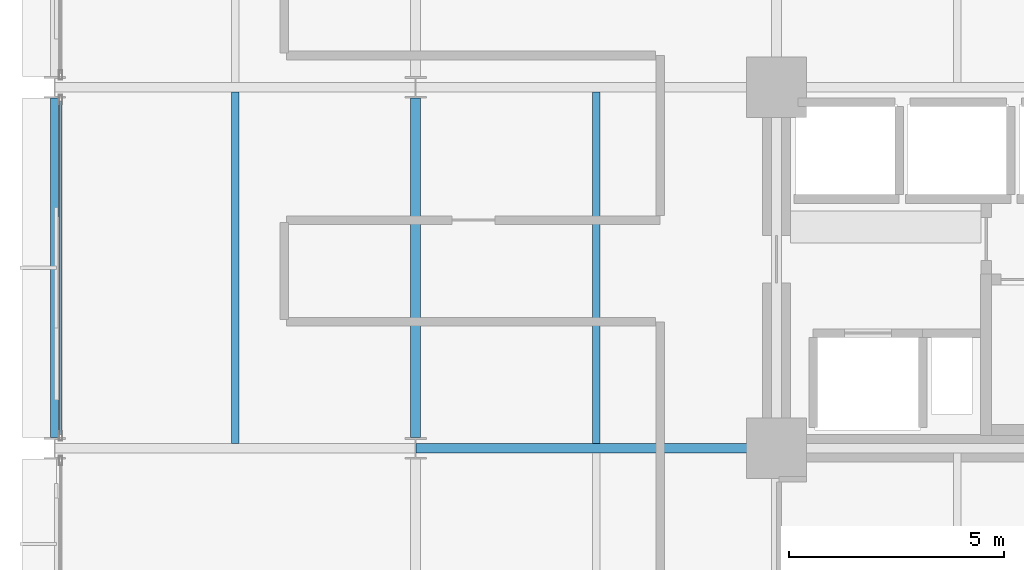
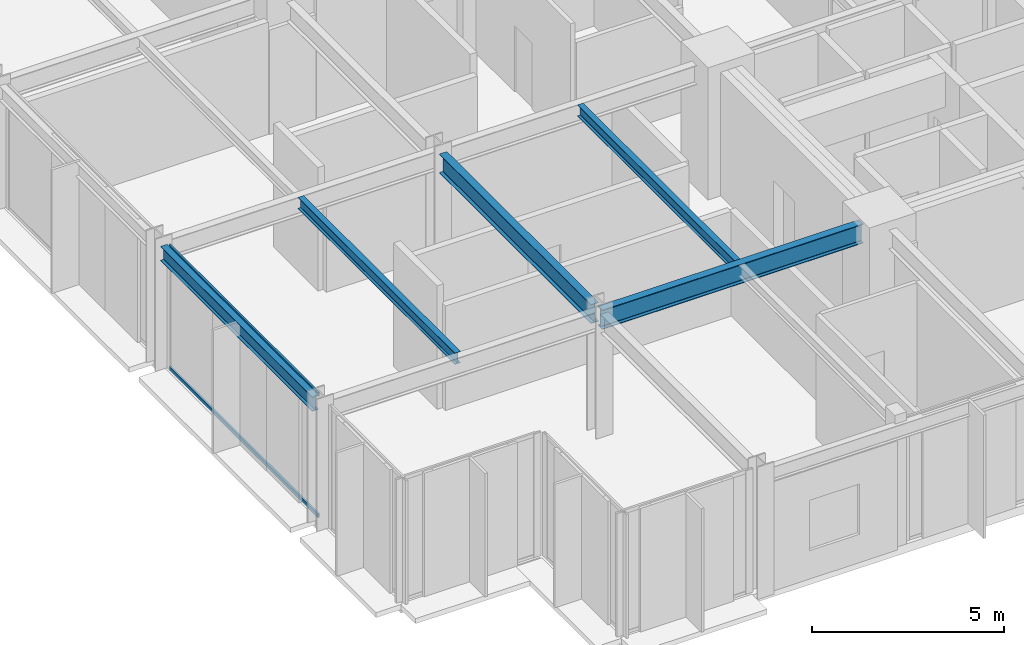
# One storey, part 5 of 30: 5 beams, 2 members, 1 element without a shape of its own.
"""IFC4 building model written with IfcOpenShell, lengths in metres."""

from ifc_helpers import new_model, si_unit, direction, frame, origin, origin_2d, place, context, subcontext, project, spatial, hollow_rectangle, i_section, extrude, material, layer, layer_set, material_profile, profile_set, type_object, element, aggregate, save


model = new_model("IFC4")

# Units and contexts
model_context = context("Model", 3, precision=1e-05, world=origin(), true_north=direction((0.0, 1.0)))
body_context = subcontext(model_context, "Body", "Model", "MODEL_VIEW")
ifc_project = project(units=[si_unit("LENGTHUNIT", "METRE"), si_unit("AREAUNIT", "SQUARE_METRE"), si_unit("VOLUMEUNIT", "CUBIC_METRE"), si_unit("PLANEANGLEUNIT", "RADIAN"), si_unit("MASSUNIT", "GRAM", prefix="KILO")], contexts=[model_context])

# Site, building, storey
site_placement = place(None, origin())
site = spatial("IfcSite", under=ifc_project, at=site_placement, CompositionType="ELEMENT")
building_placement = place(site_placement, origin())
building = spatial("IfcBuilding", under=site, at=building_placement, Name="Nerrivon Quay Data Exchange", CompositionType="ELEMENT")
storey_placement = place(building_placement, frame((0.0, 0.0, 62.60009765625)))
storey = spatial("IfcBuildingStorey", under=building, at=storey_placement, Name="L14", CompositionType="ELEMENT", Elevation=62.60009765625)

# Beams
ifc_material_1 = material(Name="Steel Grade 350", Category="steel")
ifc_material_profile_1 = material_profile(ifc_material_1, i_section(OverallWidth=0.22900390625, OverallDepth=0.612060546875, WebThickness=0.011962890625, FlangeThickness=0.01953125, FilletRadius=0.013916015625, at=origin_2d()), Name="610UB125")
ifc_profile_set_1 = profile_set([ifc_material_profile_1], Name="Steel Grade 350")
beam_type_1 = type_object("IfcBeamType", Name="BM-G1-610UB125", PredefinedType="BEAM", material=ifc_profile_set_1)
beam_1_placement = place(storey_placement, frame((8.4140625, 8.39990234375, 3.618896484375), z_axis=(1.0, 0.0, 0.0), x_axis=(0.0, 1.0, 0.0)))
element("IfcBeam", 1, at=beam_1_placement, inside=storey, type_object=beam_type_1, Name="L14 EW Girder Y=8.4 (8.4..16.8)", PredefinedType="BEAM", context=body_context, shape_type="SweptSolid", body=[
    extrude(i_section(OverallWidth=0.22900390625, OverallDepth=0.612060546875, WebThickness=0.011962890625, FlangeThickness=0.01953125, FilletRadius=0.013916015625, at=origin_2d()), origin(), (0.0, 0.0, 1.0), 7.845947265625),
])
ifc_material_profile_2 = material_profile(ifc_material_1, i_section(OverallWidth=0.22802734375, OverallDepth=0.60205078125, WebThickness=0.010498046875, FlangeThickness=0.014892578125, FilletRadius=0.013916015625, at=origin_2d()), Name="610UB101")
ifc_profile_set_2 = profile_set([ifc_material_profile_2], Name="Steel Grade 350")
beam_type_2 = type_object("IfcBeamType", Name="BM-G2-610UB101", PredefinedType="BEAM", material=ifc_profile_set_2)
beam_2_placement = place(storey_placement, frame((8.39990234375, 8.64990234375, 3.6240234375), z_axis=(0.0, 1.0, 0.0), x_axis=(-1.0, 0.0, 0.0)))
element("IfcBeam", 2, at=beam_2_placement, inside=storey, type_object=beam_type_2, Name="L14 NS Girder X=8.4 (8.4..16.8)", PredefinedType="BEAM", context=body_context, shape_type="SweptSolid", body=[
    extrude(i_section(OverallWidth=0.22802734375, OverallDepth=0.60205078125, WebThickness=0.010498046875, FlangeThickness=0.014892578125, FilletRadius=0.013916015625, at=origin_2d()), origin(), (0.0, 0.0, 1.0), 7.900146484375),
])
ifc_material_profile_3 = material_profile(ifc_material_1, i_section(OverallWidth=0.172119140625, OverallDepth=0.35888671875, WebThickness=0.008056640625, FlangeThickness=0.012939453125, FilletRadius=0.011474609375, at=origin_2d()), Name="360UB56.7")
ifc_profile_set_3 = profile_set([ifc_material_profile_3], Name="Steel Grade 350")
beam_type_3 = type_object("IfcBeamType", Name="BM-J3-360UB57", PredefinedType="JOIST", material=ifc_profile_set_3)
for number, where, z_axis, x_axis, name in (
    (3, (4.199951171875, 8.514404296875, 3.745361328125), (0.0, 1.0, 0.0), (-1.0, 0.0, 0.0), "L14 Secondary Joist X=4.2 (8.4..16.8)"),
    (4, (12.60009765625, 8.514404296875, 3.745361328125), (0.0, 1.0, 0.0), (-1.0, 0.0, 0.0), "L14 Secondary Joist X=12.6 (8.4..16.8)"),
):
    element("IfcBeam", number, at=place(storey_placement, frame(where, z_axis=z_axis, x_axis=x_axis)), inside=storey, type_object=beam_type_3, Name=name, PredefinedType="JOIST", context=body_context, shape_type="SweptSolid", body=[
        extrude(i_section(OverallWidth=0.172119140625, OverallDepth=0.35888671875, WebThickness=0.008056640625, FlangeThickness=0.012939453125, FilletRadius=0.011474609375, at=origin_2d()), origin(), (0.0, 0.0, 1.0), 8.171142578125),
    ])
ifc_material_profile_4 = material_profile(ifc_material_1, i_section(OverallWidth=0.18994140625, OverallDepth=0.4541015625, WebThickness=0.008544921875, FlangeThickness=0.0126953125, FilletRadius=0.011474609375, at=origin_2d()), Name="460UB67.1")
ifc_profile_set_4 = profile_set([ifc_material_profile_4], Name="Steel Grade 350")
beam_type_4 = type_object("IfcBeamType", Name="BM-SP1-460UB67", PredefinedType="SPANDREL", material=ifc_profile_set_4)
beam_3_placement = place(storey_placement, frame((0.0, 8.64990234375, 3.697998046875), z_axis=(0.0, 1.0, 0.0), x_axis=(-1.0, 0.0, 0.0)))
element("IfcBeam", 5, at=beam_3_placement, inside=storey, type_object=beam_type_4, Name="L14 NS Girder X=0.0 (8.4..16.8)", PredefinedType="SPANDREL", context=body_context, shape_type="SweptSolid", body=[
    extrude(i_section(OverallWidth=0.18994140625, OverallDepth=0.4541015625, WebThickness=0.008544921875, FlangeThickness=0.0126953125, FilletRadius=0.011474609375, at=origin_2d()), origin(), (0.0, 0.0, 1.0), 7.900146484375),
])

# Curtain wall, members
ifc_material_2 = material(Name="Anodised aluminium 6063-T6", Category="aluminium")
ifc_layer = layer(ifc_material_2, 0.219970703125)
ifc_layer_set = layer_set([ifc_layer], Name="Anodised aluminium 6063-T6")
curtain_wall_type = type_object("IfcCurtainWallType", Name="CW-SYS-01", PredefinedType="NOTDEFINED", material=ifc_layer_set)
curtain_wall_placement = place(storey_placement, origin())
curtain_wall = element("IfcCurtainWall", 6, at=curtain_wall_placement, inside=storey, type_object=curtain_wall_type, Name="L14 Unitised Curtain Wall 18", PredefinedType="NOTDEFINED")
ifc_material_profile_5 = material_profile(ifc_material_2, hollow_rectangle(XDim=0.06005859375, YDim=0.1201171875, WallThickness=0.003173828125, at=origin_2d()), Name="ALU-TRAN-120x60")
ifc_profile_set_5 = profile_set([ifc_material_profile_5], Name="Anodised aluminium 6063-T6")
member_type = type_object("IfcMemberType", Name="CWT-120x60", PredefinedType="USERDEFINED", material=ifc_profile_set_5)
member_1_placement = place(storey_placement, frame((0.139892578125, 8.72509765625, 0.032470703125), z_axis=(0.0, 1.0, 0.0), x_axis=(-1.0, 0.0, 0.0)))
member_1 = element("IfcMember", 7, at=member_1_placement, type_object=member_type, Name="CW01 transom 1.1", ObjectType="TRANSOM", PredefinedType="USERDEFINED", context=body_context, shape_type="SweptSolid", body=[
    extrude(hollow_rectangle(XDim=0.06005859375, YDim=0.1201171875, WallThickness=0.003173828125, at=origin_2d()), origin(), (0.0, 0.0, 1.0), 7.75),
])
member_2_placement = place(storey_placement, frame((0.139892578125, 8.72509765625, 3.892333984375), z_axis=(0.0, 1.0, 0.0), x_axis=(-1.0, 0.0, 0.0)))
member_2 = element("IfcMember", 8, at=member_2_placement, type_object=member_type, Name="CW01 transom 1.2", ObjectType="TRANSOM", PredefinedType="USERDEFINED", context=body_context, shape_type="SweptSolid", body=[
    extrude(hollow_rectangle(XDim=0.06005859375, YDim=0.1201171875, WallThickness=0.003173828125, at=origin_2d()), origin(), (0.0, 0.0, 1.0), 7.75),
])
aggregate(curtain_wall, [member_1, member_2])

save(model, "model.ifc")
